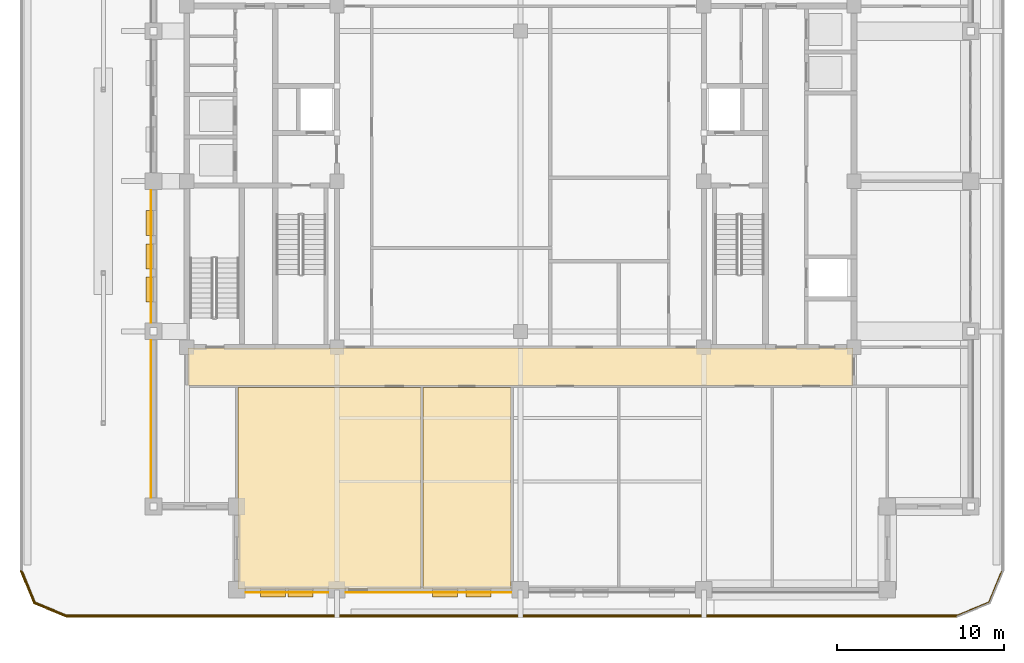
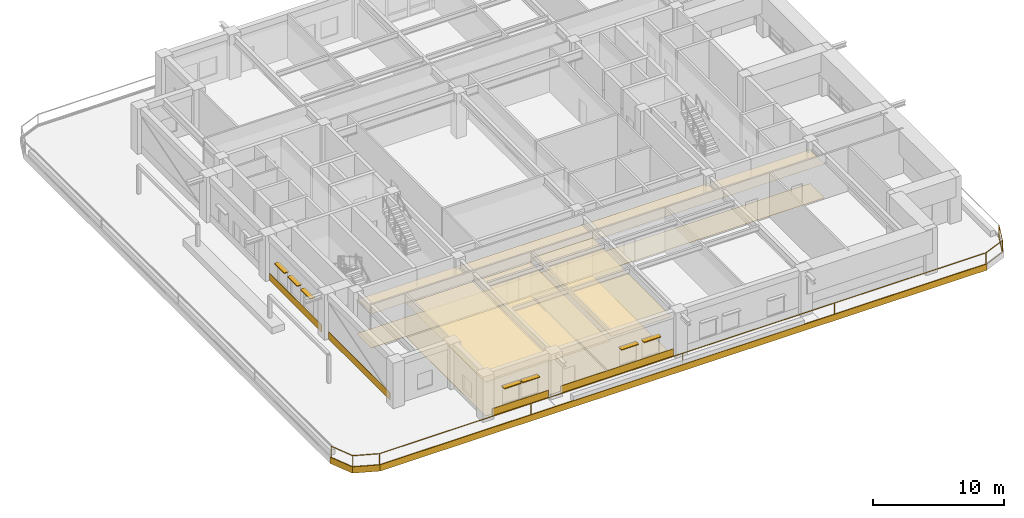
# One storey, part 13 of 20: 13 coverings, 7 shading devices, 1 railing.
"""IFC4 building model written with IfcOpenShell, lengths in metres."""

from ifc_helpers import new_model, si_unit, direction, frame, frame_2d, origin, origin_2d, place, context, subcontext, project, spatial, polyline, rectangle, outline, extrude, material, layer, layer_set, type_object, element, save


model = new_model("IFC4")

# Units and contexts
model_context = context("Model", 3, precision=1e-05, world=origin(), true_north=direction((0.0, 1.0)))
body_context = subcontext(model_context, "Body", "Model", "MODEL_VIEW")
ifc_project = project(units=[si_unit("LENGTHUNIT", "METRE"), si_unit("AREAUNIT", "SQUARE_METRE"), si_unit("VOLUMEUNIT", "CUBIC_METRE"), si_unit("PLANEANGLEUNIT", "RADIAN"), si_unit("MASSUNIT", "GRAM", prefix="KILO")], contexts=[model_context])

# Site, building, storey
site_placement = place(None, origin())
site = spatial("IfcSite", under=ifc_project, at=site_placement, CompositionType="ELEMENT")
building_placement = place(site_placement, origin())
building = spatial("IfcBuilding", under=site, at=building_placement, Name="Zulmaris Gate Convention Tower", CompositionType="ELEMENT")
storey_placement = place(building_placement, frame((0.0, 0.0, 158.23974609375)))
storey = spatial("IfcBuildingStorey", under=building, at=storey_placement, Name="L40", CompositionType="ELEMENT", Elevation=158.23974609375)

# Coverings
ifc_material_1 = material(Name="Precast concrete C40/50", Category="concrete")
ifc_layer_1 = layer(ifc_material_1, 0.0400390625, Name="Precast concrete C40/50")
ifc_layer_set_1 = layer_set([ifc_layer_1], Name="Precast concrete C40/50")
covering_type_1 = type_object("IfcCoveringType", Name="CLAD-SPANDREL-PRECAST", PredefinedType="CLADDING", material=ifc_layer_set_1)
covering_1_placement = place(storey_placement, frame((-16.469970703125, -24.64990234375, 0.0), z_axis=(0.0, 0.0, 1.0), x_axis=(1.0, 0.0, 0.0)))
element("IfcCovering", 1, at=covering_1_placement, inside=storey, type_object=covering_type_1, Name="CLD-L40-S-0_0", PredefinedType="CLADDING", context=body_context, shape_type="SweptSolid", body=[
    extrude(rectangle(XDim=4.93994140625, YDim=0.0400390625, at=frame_2d((2.469970703125, 0.0))), origin(), (0.0, 0.0, 1.0), 0.679931640625),
])
covering_2_placement = place(storey_placement, frame((-10.469970703125, -24.64990234375, 0.0), z_axis=(0.0, 0.0, 1.0), x_axis=(1.0, 0.0, 0.0)))
element("IfcCovering", 2, at=covering_2_placement, inside=storey, type_object=covering_type_1, Name="CLD-L40-S-1_0", PredefinedType="CLADDING", context=body_context, shape_type="SweptSolid", body=[
    extrude(rectangle(XDim=9.93994140625, YDim=0.0400390625, at=frame_2d((4.969970703125, 0.0))), origin(), (0.0, 0.0, 1.0), 0.679931640625),
])
covering_3_placement = place(storey_placement, frame((-22.14990234375, -9.530029296875, 0.0), z_axis=(0.0, 0.0, 1.0), x_axis=(0.0, -1.0, 0.0)))
element("IfcCovering", 3, at=covering_3_placement, inside=storey, type_object=covering_type_1, Name="CLD-L40-W-0_0", PredefinedType="CLADDING", context=body_context, shape_type="SweptSolid", body=[
    extrude(rectangle(XDim=9.43994140625, YDim=0.0400390625, at=frame_2d((4.719970703125, 0.0))), origin(), (0.0, 0.0, 1.0), 0.679931640625),
])
covering_4_placement = place(storey_placement, frame((-22.14990234375, -0.530029296875, 0.0), z_axis=(0.0, 0.0, 1.0), x_axis=(0.0, -1.0, 0.0)))
element("IfcCovering", 4, at=covering_4_placement, inside=storey, type_object=covering_type_1, Name="CLD-L40-W-1_0", PredefinedType="CLADDING", context=body_context, shape_type="SweptSolid", body=[
    extrude(rectangle(XDim=7.93994140625, YDim=0.0400390625, at=frame_2d((3.969970703125, 0.0))), origin(), (0.0, 0.0, 1.0), 0.679931640625),
])
ifc_material_2 = material(Name="White Glazed Architectural Precast Concrete C40/50", Category="concrete")
ifc_layer_2 = layer(ifc_material_2, 0.080078125, Name="White Glazed Architectural Precast Concrete C40/50")
ifc_layer_set_2 = layer_set([ifc_layer_2], Name="White Glazed Architectural Precast Concrete C40/50")
covering_type_2 = type_object("IfcCoveringType", Name="CLAD-TRAY-FASCIA", PredefinedType="CLADDING", material=ifc_layer_set_2)
covering_5_placement = place(storey_placement, frame((-29.962890625, -23.334716796875, -0.465087890625), z_axis=(0.0, 0.0, 1.0), x_axis=(0.382656984709, -0.923890487046, 0.0)))
element("IfcCovering", 5, at=covering_5_placement, inside=storey, type_object=covering_type_2, Name="FSC-L40-TR-00", PredefinedType="CLADDING", context=body_context, shape_type="SweptSolid", body=[
    extrude(rectangle(XDim=2.14306640625, YDim=0.080078125, at=frame_2d((1.071533203125, 0.0))), origin(), (0.0, 0.0, 1.0), 0.5849609375),
])
covering_6_placement = place(storey_placement, frame((-29.16455078125, -25.29296875, -0.465087890625), z_axis=(0.0, 0.0, 1.0), x_axis=(0.923873803533, -0.382697263049, 0.0)))
element("IfcCovering", 6, at=covering_6_placement, inside=storey, type_object=covering_type_2, Name="FSC-L40-TR-01", PredefinedType="CLADDING", context=body_context, shape_type="SweptSolid", body=[
    extrude(rectangle(XDim=2.142822265625, YDim=0.080078125, at=frame_2d((1.0712890625, 0.0))), origin(), (0.0, 0.0, 1.0), 0.5849609375),
])
covering_7_placement = place(storey_placement, frame((-27.199951171875, -26.110107421875, -0.465087890625), z_axis=(0.0, 0.0, 1.0), x_axis=(1.0, 0.0, 0.0)))
element("IfcCovering", 7, at=covering_7_placement, inside=storey, type_object=covering_type_2, Name="FSC-L40-TR-02", PredefinedType="CLADDING", context=body_context, shape_type="SweptSolid", body=[
    extrude(rectangle(XDim=53.39990234375, YDim=0.080078125, at=frame_2d((26.699951171875, 0.0))), origin(), (0.0, 0.0, 1.0), 0.5849609375),
])
ifc_material_3 = material(Name="Mineral Fibre Acoustic Ceiling Tile")
ifc_layer_3 = layer(ifc_material_3, 0.02001953125, Name="Mineral Fibre Acoustic Ceiling Tile")
ifc_layer_set_3 = layer_set([ifc_layer_3], Name="Mineral Fibre Acoustic Ceiling Tile")
covering_type_3 = type_object("IfcCoveringType", Name="CLG-ACOUSTIC-600", PredefinedType="CEILING", material=ifc_layer_set_3)
covering_8_placement = place(storey_placement, frame((0.0, 0.0, 3.153076171875)))
element("IfcCovering", 8, at=covering_8_placement, inside=storey, type_object=covering_type_3, Name="CLG-L40-R32", PredefinedType="CEILING", context=body_context, shape_type="SweptSolid", body=[
    extrude(outline(polyline([(-19.93994140625, -12.239990234375), (19.93994140625, -12.239990234375), (19.93994140625, -10.010009765625), (-19.93994140625, -10.010009765625), (-19.93994140625, -12.239990234375)])), origin(), (0.0, 0.0, 1.0), 0.02001953125),
])
covering_9_placement = place(storey_placement, frame((0.0, 0.0, 3.153076171875)))
element("IfcCovering", 9, at=covering_9_placement, inside=storey, type_object=covering_type_3, Name="CLG-L40-R40", PredefinedType="CEILING", context=body_context, shape_type="SweptSolid", body=[
    extrude(outline(polyline([(-16.93994140625, -24.43994140625), (-5.9599609375, -24.43994140625), (-5.9599609375, -12.360107421875), (-16.93994140625, -12.360107421875), (-16.93994140625, -24.43994140625)])), origin(), (0.0, 0.0, 1.0), 0.02001953125),
])
covering_10_placement = place(storey_placement, frame((0.0, 0.0, 3.5302734375)))
element("IfcCovering", 10, at=covering_10_placement, inside=storey, type_object=covering_type_3, Name="CLG-L40-R41", PredefinedType="CEILING", context=body_context, shape_type="SweptSolid", body=[
    extrude(outline(polyline([(-5.840087890625, -24.43994140625), (-0.56005859375, -24.43994140625), (-0.56005859375, -12.360107421875), (-5.840087890625, -12.360107421875), (-5.840087890625, -24.43994140625)])), origin(), (0.0, 0.0, 1.0), 0.019775390625),
])
ifc_material_4 = material(Name="Woven Acoustic Wool Carpet Tile")
ifc_layer_4 = layer(ifc_material_4, 0.02001953125, Name="Woven Acoustic Wool Carpet Tile")
ifc_layer_set_4 = layer_set([ifc_layer_4], Name="Woven Acoustic Wool Carpet Tile")
covering_type_4 = type_object("IfcCoveringType", Name="FLR-CARPET-12", PredefinedType="FLOORING", material=ifc_layer_set_4)
covering_11_placement = place(storey_placement, origin())
element("IfcCovering", 11, at=covering_11_placement, inside=storey, type_object=covering_type_4, Name="FLR-L40-R32", PredefinedType="FLOORING", context=body_context, shape_type="SweptSolid", body=[
    extrude(outline(polyline([(-19.93994140625, -12.239990234375), (19.93994140625, -12.239990234375), (19.93994140625, -10.010009765625), (-19.93994140625, -10.010009765625), (-19.93994140625, -12.239990234375)])), origin(), (0.0, 0.0, 1.0), 0.02001953125),
])
covering_12_placement = place(storey_placement, origin())
element("IfcCovering", 12, at=covering_12_placement, inside=storey, type_object=covering_type_4, Name="FLR-L40-R40", PredefinedType="FLOORING", context=body_context, shape_type="SweptSolid", body=[
    extrude(outline(polyline([(-16.93994140625, -24.43994140625), (-5.9599609375, -24.43994140625), (-5.9599609375, -12.360107421875), (-16.93994140625, -12.360107421875), (-16.93994140625, -24.43994140625)])), origin(), (0.0, 0.0, 1.0), 0.02001953125),
])
covering_13_placement = place(storey_placement, origin())
element("IfcCovering", 13, at=covering_13_placement, inside=storey, type_object=covering_type_4, Name="FLR-L40-R41", PredefinedType="FLOORING", context=body_context, shape_type="SweptSolid", body=[
    extrude(outline(polyline([(-5.840087890625, -24.43994140625), (-0.56005859375, -24.43994140625), (-0.56005859375, -12.360107421875), (-5.840087890625, -12.360107421875), (-5.840087890625, -24.43994140625)])), origin(), (0.0, 0.0, 1.0), 0.02001953125),
])

# Railing
ifc_material_5 = material(Name="Laminated Glass and Stainless Steel", Category="steel")
railing_type = type_object("IfcRailingType", Name="RL-BALC-1150", PredefinedType="BALUSTRADE", material=ifc_material_5)
railing_placement = place(storey_placement, frame((-29.8798828125, -23.35009765625, -0.0400390625)))
element("IfcRailing", 14, at=railing_placement, inside=storey, type_object=railing_type, Name="RL-L40-BALC-S", PredefinedType="BALUSTRADE", context=body_context, shape_type="SweptSolid", body=[
    extrude(rectangle(XDim=0.048095703125, YDim=0.048095703125, at=origin_2d()), frame((0.0, 0.0, 1.1259765625), z_axis=(0.382670664694, -0.92388482095, 0.0), x_axis=(0.92388482095, 0.382670664694, 0.0)), (0.0, 0.0, 1.0), 2.051025390625),
    extrude(rectangle(XDim=0.048095703125, YDim=0.048095703125, at=origin_2d()), frame((0.0, 0.0, 0.02392578125), z_axis=(0.382670664694, -0.92388482095, 0.0), x_axis=(0.92388482095, 0.382670664694, 0.0)), (0.0, 0.0, 1.0), 2.051025390625),
    extrude(rectangle(XDim=0.048095703125, YDim=0.048095703125, at=origin_2d()), frame((0.784912109375, -1.89501953125, 1.1259765625), z_axis=(0.92388482095, -0.382670664694, 0.0), x_axis=(0.382670664694, 0.92388482095, 0.0)), (0.0, 0.0, 1.0), 2.051025390625),
    extrude(rectangle(XDim=0.048095703125, YDim=0.048095703125, at=origin_2d()), frame((0.784912109375, -1.89501953125, 0.02392578125), z_axis=(0.92388482095, -0.382670664694, 0.0), x_axis=(0.382670664694, 0.92388482095, 0.0)), (0.0, 0.0, 1.0), 2.051025390625),
    extrude(rectangle(XDim=0.048095703125, YDim=0.048095703125, at=origin_2d()), frame((2.679931640625, -2.679931640625, 1.1259765625), z_axis=(1.0, 0.0, 0.0), x_axis=(0.0, 1.0, 0.0)), (0.0, 0.0, 1.0), 53.39990234375),
    extrude(rectangle(XDim=0.048095703125, YDim=0.048095703125, at=origin_2d()), frame((2.679931640625, -2.679931640625, 0.02392578125), z_axis=(1.0, 0.0, 0.0), x_axis=(0.0, 1.0, 0.0)), (0.0, 0.0, 1.0), 53.39990234375),
    extrude(rectangle(XDim=0.048095703125, YDim=0.048095703125, at=origin_2d()), frame((56.079833984375, -2.679931640625, 1.1259765625), z_axis=(0.92388482095, 0.382670664694, 0.0), x_axis=(-0.382670664694, 0.92388482095, 0.0)), (0.0, 0.0, 1.0), 2.051025390625),
    extrude(rectangle(XDim=0.048095703125, YDim=0.048095703125, at=origin_2d()), frame((56.079833984375, -2.679931640625, 0.02392578125), z_axis=(0.92388482095, 0.382670664694, 0.0), x_axis=(-0.382670664694, 0.92388482095, 0.0)), (0.0, 0.0, 1.0), 2.051025390625),
    extrude(rectangle(XDim=0.048095703125, YDim=0.048095703125, at=origin_2d()), frame((57.974853515625, -1.89501953125, 1.1259765625), z_axis=(0.382670664694, 0.92388482095, 0.0), x_axis=(-0.92388482095, 0.382670664694, 0.0)), (0.0, 0.0, 1.0), 2.051025390625),
    extrude(rectangle(XDim=0.048095703125, YDim=0.048095703125, at=origin_2d()), frame((57.974853515625, -1.89501953125, 0.02392578125), z_axis=(0.382670664694, 0.92388482095, 0.0), x_axis=(-0.92388482095, 0.382670664694, 0.0)), (0.0, 0.0, 1.0), 2.051025390625),
    extrude(rectangle(XDim=0.0419921875, YDim=0.0419921875, at=origin_2d()), origin(), (0.0, 0.0, 1.0), 1.101806640625),
    extrude(rectangle(XDim=0.0419921875, YDim=0.0419921875, at=origin_2d()), frame((0.784912109375, -1.89501953125, 0.0)), (0.0, 0.0, 1.0), 1.101806640625),
    extrude(rectangle(XDim=0.0419921875, YDim=0.0419921875, at=origin_2d()), frame((2.679931640625, -2.679931640625, 0.0)), (0.0, 0.0, 1.0), 1.101806640625),
    extrude(rectangle(XDim=0.0419921875, YDim=0.0419921875, at=origin_2d()), frame((16.02978515625, -2.679931640625, 0.0)), (0.0, 0.0, 1.0), 1.101806640625),
    extrude(rectangle(XDim=0.0419921875, YDim=0.0419921875, at=origin_2d()), frame((29.3798828125, -2.679931640625, 0.0)), (0.0, 0.0, 1.0), 1.101806640625),
    extrude(rectangle(XDim=0.0419921875, YDim=0.0419921875, at=origin_2d()), frame((42.72998046875, -2.679931640625, 0.0)), (0.0, 0.0, 1.0), 1.101806640625),
    extrude(rectangle(XDim=0.0419921875, YDim=0.0419921875, at=origin_2d()), frame((56.079833984375, -2.679931640625, 0.0)), (0.0, 0.0, 1.0), 1.101806640625),
    extrude(rectangle(XDim=0.0419921875, YDim=0.0419921875, at=origin_2d()), frame((57.974853515625, -1.89501953125, 0.0)), (0.0, 0.0, 1.0), 1.101806640625),
    extrude(rectangle(XDim=0.0419921875, YDim=0.0419921875, at=origin_2d()), frame((58.759765625, 0.0, 0.0)), (0.0, 0.0, 1.0), 1.101806640625),
])

# Shading devices
ifc_material_6 = material(Name="Glazed Ceramic Terracotta", Category="masonry")
ifc_layer_5 = layer(ifc_material_6, 0.070068359375, Name="Glazed Ceramic Terracotta")
ifc_layer_set_5 = layer_set([ifc_layer_5], Name="Glazed Ceramic Terracotta")
shading_device_type = type_object("IfcShadingDeviceType", Name="SHD-SUNSHADE-TC", PredefinedType="AWNING", material=ifc_layer_set_5)
for number, where, z_axis, x_axis, name in (
    (15, (-15.572998046875, -24.719970703125, 2.349853515625), (0.0, 0.0, 1.0), (1.0, 0.0, 0.0), "SHD-EW-L40-S-0_0-1"),
    (16, (-13.927001953125, -24.719970703125, 2.349853515625), (0.0, 0.0, 1.0), (1.0, 0.0, 0.0), "SHD-EW-L40-S-0_0-2"),
    (17, (-5.256103515625, -24.719970703125, 2.349853515625), (0.0, 0.0, 1.0), (1.0, 0.0, 0.0), "SHD-EW-L40-S-1_0-3"),
    (18, (-3.26806640625, -24.719970703125, 2.349853515625), (0.0, 0.0, 1.0), (1.0, 0.0, 0.0), "SHD-EW-L40-S-1_0-4"),
    (19, (-22.219970703125, -1.764892578125, 2.349853515625), (0.0, 0.0, 1.0), (0.0, -1.0, 0.0), "SHD-EW-L40-W-1_0-1"),
    (20, (-22.219970703125, -3.75, 2.349853515625), (0.0, 0.0, 1.0), (0.0, -1.0, 0.0), "SHD-EW-L40-W-1_0-2"),
    (21, (-22.219970703125, -5.735107421875, 2.349853515625), (0.0, 0.0, 1.0), (0.0, -1.0, 0.0), "SHD-EW-L40-W-1_0-3"),
):
    element("IfcShadingDevice", number, at=place(storey_placement, frame(where, z_axis=z_axis, x_axis=x_axis)), inside=storey, type_object=shading_device_type, Name=name, PredefinedType="AWNING", context=body_context, shape_type="SweptSolid", body=[
        extrude(rectangle(XDim=1.5, YDim=0.43994140625, at=frame_2d((0.75, 0.0))), origin(), (0.0, 0.0, 1.0), 0.070068359375),
    ])

save(model, "model.ifc")
